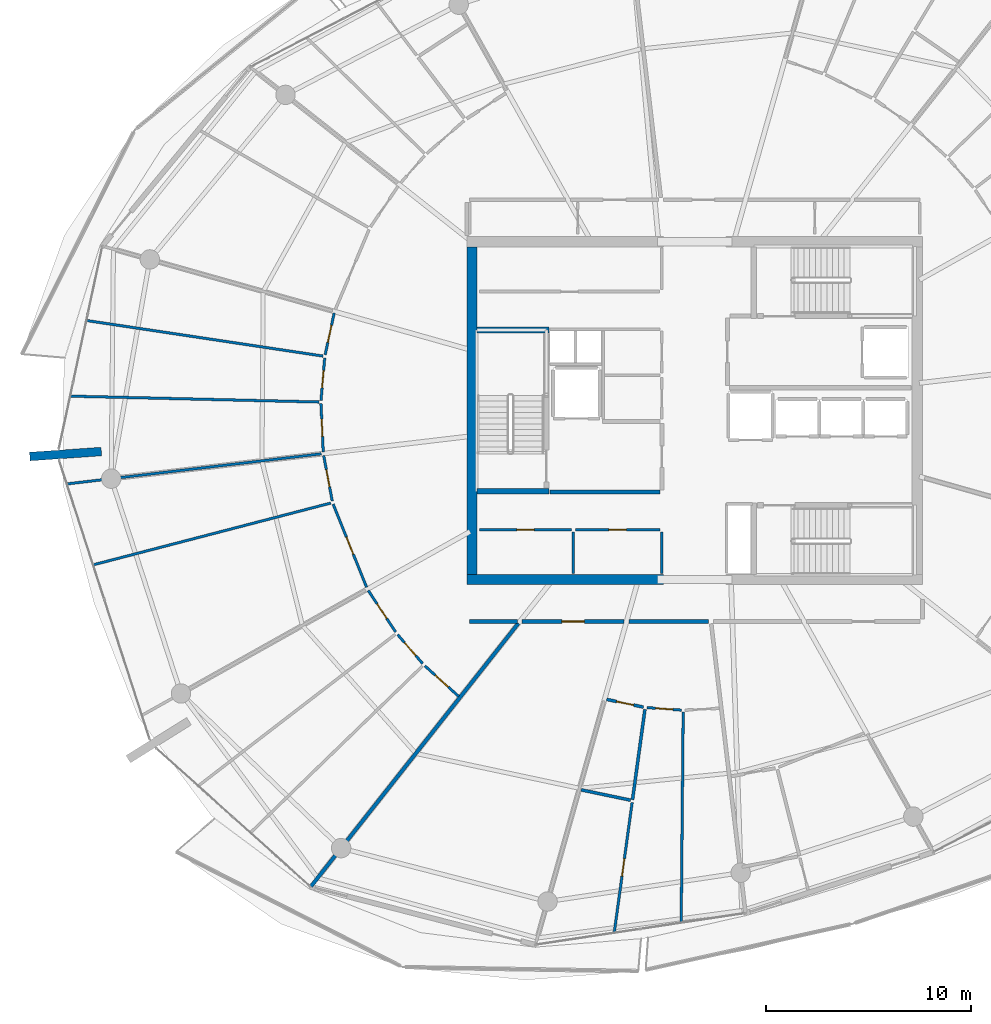
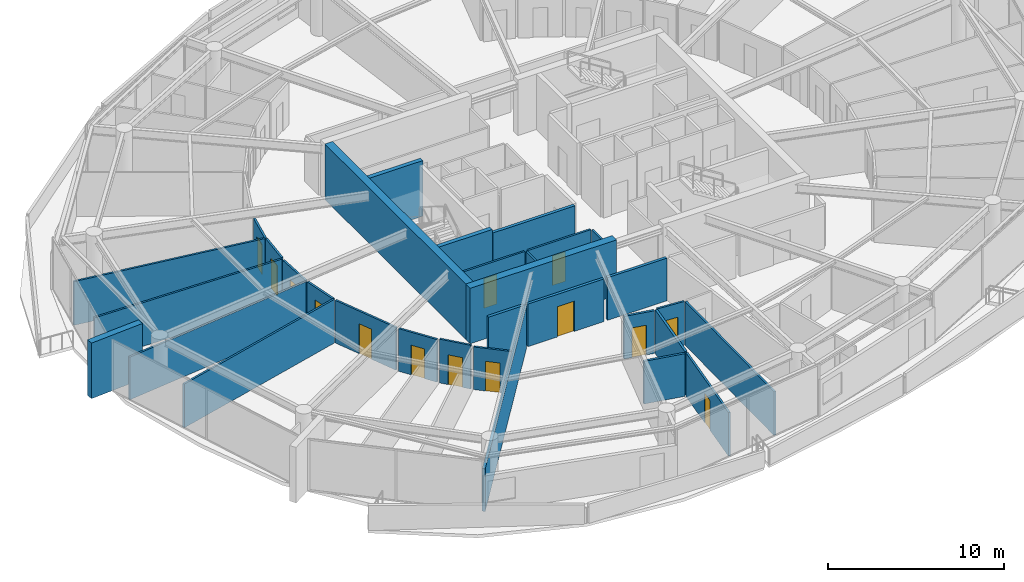
# One storey, part 17 of 29: 32 walls, 14 doors, 14 openings.
"""IFC4 building model written with IfcOpenShell, lengths in metres."""

import ifcopenshell
import ifcopenshell.guid

model = None  # the IFC model being written
_history = None  # IfcOwnerHistory: only IFC2X3 demands one
_inside = {}  # id of a spatial element -> (the spatial element, [elements in it])
_under = {}  # id of a project, library or spatial element -> (it, [spatial elements below it])
_declared = {}  # id of a project -> (the project, [libraries it declares])
_typed = {}  # id of a type object -> (the type object, [elements of that type])
_made_of = {}  # id of a material, layer set ... -> (it, [elements and type objects made of it])


def new_model(schema):
    """Start an empty IFC model of exactly this schema.

    Asked for "IFC4X3", IfcOpenShell would pick the latest addendum, in which some entities
    have other attributes; the version numbers below select the first issue.
    IFC2X3 requires an IfcOwnerHistory on every rooted entity: one is made here for all.
    """
    global model, _history
    if schema == "IFC4X3":
        model = ifcopenshell.file(schema_version=(4, 3, 0, 0))
    else:
        model = ifcopenshell.file(schema=schema)
    _inside.clear()
    _under.clear()
    _declared.clear()
    _typed.clear()
    _made_of.clear()
    _history = None
    if model.schema == "IFC2X3":
        org = make("IfcOrganization", Name="unknown")
        user = make(
            "IfcPersonAndOrganization",
            ThePerson=make("IfcPerson", FamilyName="unknown"),
            TheOrganization=org,
        )
        app = make(
            "IfcApplication",
            ApplicationDeveloper=org,
            Version="unknown",
            ApplicationFullName="unknown",
            ApplicationIdentifier="unknown",
        )
        _history = make(
            "IfcOwnerHistory",
            OwningUser=user,
            OwningApplication=app,
            ChangeAction="ADDED",
            CreationDate=0,
        )
    return model


def make(cls, **values):
    """One entity of the class cls with the attributes given. An attribute that is None is left unset."""
    return model.create_entity(
        cls, **{name: value for name, value in values.items() if value is not None}
    )


def rooted(cls, **values):
    """An entity with a GlobalId (a new one), such as an element, a storey or a relation."""
    return make(cls, GlobalId=ifcopenshell.guid.new(), OwnerHistory=_history, **values)


def si_unit(unit_type, name, prefix=None):
    """IfcSIUnit, for example si_unit("LENGTHUNIT", "METRE", prefix="MILLI")."""
    return make("IfcSIUnit", UnitType=unit_type, Prefix=prefix, Name=name)


def assignment(units):
    """IfcUnitAssignment: the units of a project."""
    return None if units is None else make("IfcUnitAssignment", Units=units)


def point(xyz):
    """IfcCartesianPoint."""
    return None if xyz is None else make("IfcCartesianPoint", Coordinates=xyz)


def direction(xyz):
    """IfcDirection."""
    return None if xyz is None else make("IfcDirection", DirectionRatios=xyz)


def frame(location, z_axis=None, x_axis=None):
    """IfcAxis2Placement3D, a coordinate frame: its origin and axes. An axis left out is left unset."""
    return make(
        "IfcAxis2Placement3D",
        Location=point(location),
        Axis=direction(z_axis),
        RefDirection=direction(x_axis),
    )


def frame_2d(location, x_axis=None):
    """IfcAxis2Placement2D, a coordinate frame in the plane: its origin and x axis."""
    return make(
        "IfcAxis2Placement2D", Location=point(location), RefDirection=direction(x_axis)
    )


def origin():
    """The frame at (0, 0, 0) with its axes left unset."""
    return frame((0.0, 0.0, 0.0))


def place(relative_to, where):
    """IfcLocalPlacement: puts the frame where relative to a parent placement (None: the world)."""
    return make(
        "IfcLocalPlacement", PlacementRelTo=relative_to, RelativePlacement=where
    )


def context(
    kind, dimensions, precision=None, world=None, true_north=None, identifier=None
):
    """IfcGeometricRepresentationContext, for example the 3D "Model" context."""
    return make(
        "IfcGeometricRepresentationContext",
        ContextIdentifier=identifier,
        ContextType=kind,
        CoordinateSpaceDimension=dimensions,
        Precision=precision,
        WorldCoordinateSystem=world,
        TrueNorth=true_north,
    )


def subcontext(parent, identifier, kind, view, scale=None):
    """IfcGeometricRepresentationSubContext, for example "Body" below "Model"."""
    return make(
        "IfcGeometricRepresentationSubContext",
        ContextIdentifier=identifier,
        ContextType=kind,
        ParentContext=parent,
        TargetScale=scale,
        TargetView=view,
    )


def project(units=None, contexts=None):
    """IfcProject with its units and contexts."""
    return rooted(
        "IfcProject",
        Name="project",
        RepresentationContexts=contexts,
        UnitsInContext=assignment(units),
    )


def spatial(cls, under=None, at=None, **own):
    """A site, building, storey or space (cls), placed at a placement, below another one or the project."""
    s = rooted(cls, ObjectPlacement=at, **own)
    if under is not None:
        _under.setdefault(under.id(), (under, []))[1].append(s)
    return s


def profile(cls, at=None, kind="AREA", **sizes):
    """A parametric profile (cls). Its sizes go by their IFC names, for example OverallWidth=200.0."""
    return make(cls, ProfileType=kind, Position=at, **sizes)


def rectangle(**sizes):
    """IfcRectangleProfileDef."""
    return profile("IfcRectangleProfileDef", **sizes)


def extrude(swept, where, along, depth):
    """IfcExtrudedAreaSolid: the profile swept, set in the frame where, extruded along a direction by depth."""
    return make(
        "IfcExtrudedAreaSolid",
        SweptArea=swept,
        Position=where,
        ExtrudedDirection=direction(along),
        Depth=depth,
    )


def shape(context_of_items, identifier, shape_type, items):
    """IfcShapeRepresentation: the items that make up one representation, for example the "Body"."""
    return make(
        "IfcShapeRepresentation",
        ContextOfItems=context_of_items,
        RepresentationIdentifier=identifier,
        RepresentationType=shape_type,
        Items=items,
    )


def material(Name=None, Category=None):
    """IfcMaterial."""
    return make("IfcMaterial", Name=Name, Category=Category)


def layer(
    of_material, thickness, ventilated=None, Name=None, Category=None, Priority=None
):
    """IfcMaterialLayer: one layer of a wall or slab, of a material (None: an air gap)."""
    return make(
        "IfcMaterialLayer",
        Material=of_material,
        LayerThickness=thickness,
        IsVentilated=ventilated,
        Name=Name,
        Category=Category,
        Priority=Priority,
    )


def layer_set(layers, Name=None):
    """IfcMaterialLayerSet."""
    return make("IfcMaterialLayerSet", MaterialLayers=layers, LayerSetName=Name)


def made_of(thing, what):
    """Note that an element or type object is made of a material, layer set ...; save() writes the relation."""
    if what is not None:
        _made_of.setdefault(what.id(), (what, []))[1].append(thing)
    return thing


def type_object(cls, material=None, **own):
    """A type object (cls), such as IfcWallType, which elements share."""
    return made_of(rooted(cls, **own), material)


def element(
    cls,
    number,
    at=None,
    inside=None,
    cuts=None,
    type_object=None,
    material=None,
    context=None,
    identifier="Body",
    shape_type=None,
    held_by="IfcProductDefinitionShape",
    body=None,
    shapes=None,
    **own,
):
    """One element of the class cls, such as IfcWall. Its Tag is "e" and its number.

    at: its placement. inside: the storey or other place that contains it. cuts: it is an
    opening in that element (IfcRelVoidsElement). A single representation is given by context,
    identifier, shape_type and body (its items); several are given by shapes. held_by: the class
    of the entity that holds the representations. save() writes the other relations.
    """
    e = rooted(cls, Tag="e%d" % number, ObjectPlacement=at, **own)
    if body is not None:
        shapes = [shape(context, identifier, shape_type, body)]
    if shapes is not None:
        e.Representation = make(held_by, Representations=shapes)
    if inside is not None:
        _inside.setdefault(inside.id(), (inside, []))[1].append(e)
    if cuts is not None:
        rooted(
            "IfcRelVoidsElement", RelatingBuildingElement=cuts, RelatedOpeningElement=e
        )
    if type_object is not None:
        _typed.setdefault(type_object.id(), (type_object, []))[1].append(e)
    return made_of(e, material)


def fill(opening, filler):
    """IfcRelFillsElement: the door or window that sits in an opening."""
    return rooted(
        "IfcRelFillsElement",
        RelatingOpeningElement=opening,
        RelatedBuildingElement=filler,
    )


def aggregate(whole, parts):
    """IfcRelAggregates: a whole, such as a stair, and the parts it consists of."""
    return rooted("IfcRelAggregates", RelatingObject=whole, RelatedObjects=parts)


def save(model, path):
    """Write the relations noted so far, then the file.

    IfcRelAggregates (storeys below a building ...), IfcRelContainedInSpatialStructure (elements
    in a storey), IfcRelDefinesByType, IfcRelAssociatesMaterial and IfcRelDeclares: one each for
    every whole, place, type object, material and project.
    """
    for whole, parts in _under.values():
        aggregate(whole, parts)
    for where, things in _inside.values():
        rooted(
            "IfcRelContainedInSpatialStructure",
            RelatedElements=things,
            RelatingStructure=where,
        )
    for kind, things in _typed.values():
        rooted("IfcRelDefinesByType", RelatedObjects=things, RelatingType=kind)
    for what, things in _made_of.values():
        rooted("IfcRelAssociatesMaterial", RelatedObjects=things, RelatingMaterial=what)
    for by, libraries in _declared.values():
        rooted("IfcRelDeclares", RelatingContext=by, RelatedDefinitions=libraries)
    model.write(path)


model = new_model("IFC4")

# Units and contexts
model_context = context("Model", 3, precision=1e-05, world=origin(), true_north=direction((0.0, 1.0)))
body_context = subcontext(model_context, "Body", "Model", "MODEL_VIEW")
ifc_project = project(units=[si_unit("LENGTHUNIT", "METRE"), si_unit("AREAUNIT", "SQUARE_METRE"), si_unit("VOLUMEUNIT", "CUBIC_METRE"), si_unit("PLANEANGLEUNIT", "RADIAN"), si_unit("MASSUNIT", "GRAM", prefix="KILO")], contexts=[model_context])

# Site, building, storey
site_placement = place(None, origin())
site = spatial("IfcSite", under=ifc_project, at=site_placement, CompositionType="ELEMENT")
building_placement = place(site_placement, origin())
building = spatial("IfcBuilding", under=site, at=building_placement, Name="Kazma Halo Residences", CompositionType="ELEMENT")
storey_placement = place(building_placement, frame((0.0, 0.0, 282.89990234375)))
storey = spatial("IfcBuildingStorey", under=building, at=storey_placement, Name="L71", CompositionType="ELEMENT", Elevation=282.89990234375)

# Walls
ifc_material_1 = material(Name="Pale Concrete C60/75", Category="concrete")
ifc_layer_1 = layer(ifc_material_1, 0.419921875)
ifc_layer_set_1 = layer_set([ifc_layer_1], Name="Pale Concrete C60/75")
wall_type_1 = type_object("IfcWallType", Name="WL-BLADE-420", PredefinedType="SOLIDWALL", material=ifc_layer_set_1)
wall_1_placement = place(storey_placement, frame((19.4375, 40.002685546875, 0.0), z_axis=(0.0, 0.0, 1.0), x_axis=(-0.997563824095, -0.069759707979, 0.0)))
element("IfcWall", 1, at=wall_1_placement, inside=storey, type_object=wall_type_1, Name="L71 pale concrete structural blade fin wall BW-02", PredefinedType="SOLIDWALL", context=body_context, shape_type="SweptSolid", body=[
    extrude(rectangle(XDim=3.499755859375, YDim=0.419921875, at=frame_2d((1.75, 0.0))), origin(), (0.0, 0.0, 1.0), 3.85009765625),
])
ifc_material_2 = material(Name="Concrete C60/75", Category="concrete")
ifc_layer_2 = layer(ifc_material_2, 0.5)
ifc_layer_set_2 = layer_set([ifc_layer_2], Name="Concrete C60/75")
wall_type_2 = type_object("IfcWallType", Name="WL-CORE-500", PredefinedType="SHEAR", material=ifc_layer_set_2)
wall_2_placement = place(storey_placement, frame((37.300048828125, 33.75, 0.0), z_axis=(0.0, 0.0, 1.0), x_axis=(1.0, 0.0, 0.0)))
element("IfcWall", 2, at=wall_2_placement, inside=storey, type_object=wall_type_2, Name="L71 central core shear wall SW", PredefinedType="SHEAR", context=body_context, shape_type="SweptSolid", body=[
    extrude(rectangle(XDim=9.599853515625, YDim=0.5, at=frame_2d((4.7998046875, 0.0))), origin(), (0.0, 0.0, 1.0), 3.85009765625),
])
wall_3_placement = place(storey_placement, frame((37.550048828125, 34.0, 0.0), z_axis=(0.0, 0.0, 1.0), x_axis=(0.0, 1.0, 0.0)))
element("IfcWall", 3, at=wall_3_placement, inside=storey, type_object=wall_type_2, Name="L71 central core shear wall W", PredefinedType="SHEAR", context=body_context, shape_type="SweptSolid", body=[
    extrude(rectangle(XDim=16.0, YDim=0.5, at=frame_2d((8.0, 0.0))), origin(), (0.0, 0.0, 1.0), 3.85009765625),
])
ifc_layer_3 = layer(ifc_material_2, 0.280029296875)
ifc_layer_set_3 = layer_set([ifc_layer_3], Name="Concrete C60/75")
wall_type_3 = type_object("IfcWallType", Name="WL-CORE-ST-280", PredefinedType="SHEAR", material=ifc_layer_set_3)
for number, where, z_axis, x_axis, name in (
    (4, (37.800048828125, 38.06005859375, 0.0), (0.0, 0.0, 1.0), (1.0, 0.0, 0.0), "L71 stairwell bearing wall ST01-S"),
    (5, (37.800048828125, 45.93994140625, 0.0), (0.0, 0.0, 1.0), (1.0, 0.0, 0.0), "L71 stairwell bearing wall ST01-N"),
):
    element("IfcWall", number, at=place(storey_placement, frame(where, z_axis=z_axis, x_axis=x_axis)), inside=storey, type_object=wall_type_3, Name=name, PredefinedType="SHEAR", context=body_context, shape_type="SweptSolid", body=[
        extrude(rectangle(XDim=3.5, YDim=0.280029296875, at=frame_2d((1.75, 0.0))), origin(), (0.0, 0.0, 1.0), 3.85009765625),
    ])
ifc_material_3 = material(Name="Acoustic Twin-Stud Gypsum")
ifc_layer_4 = layer(ifc_material_3, 0.179931640625)
ifc_layer_set_4 = layer_set([ifc_layer_4], Name="Acoustic Twin-Stud Gypsum")
wall_type_4 = type_object("IfcWallType", Name="WL-DEM-180", PredefinedType="PARTITIONING", material=ifc_layer_set_4)
wall_4_placement = place(storey_placement, frame((39.81201171875, 31.613525390625, 0.0), z_axis=(0.0, 0.0, 1.0), x_axis=(-0.619097230176, -0.785314344443, 0.0)))
element("IfcWall", 6, at=wall_4_placement, inside=storey, type_object=wall_type_4, Name="L71 apartment demising radial wall 09", PredefinedType="PARTITIONING", context=body_context, shape_type="SweptSolid", body=[
    extrude(rectangle(XDim=16.369873046875, YDim=0.179931640625, at=frame_2d((8.18505859375, 0.0))), origin(), (0.0, 0.0, 1.0), 2.95703125),
])
wall_5_placement = place(storey_placement, frame((37.419921875, 31.699951171875, 0.0), z_axis=(0.0, 0.0, 1.0), x_axis=(1.0, 0.0, 0.0)))
element("IfcWall", 7, at=wall_5_placement, inside=storey, type_object=wall_type_4, Name="L71 Apartment 1 inner wall 8", PredefinedType="PARTITIONING", context=body_context, shape_type="SweptSolid", body=[
    extrude(rectangle(XDim=2.340087890625, YDim=0.179931640625, at=frame_2d((1.169921875, 0.0))), origin(), (0.0, 0.0, 1.0), 2.95703125),
])

# Wall, opening, door
wall_6_placement = place(storey_placement, frame((40.0, 31.699951171875, 0.0), z_axis=(0.0, 0.0, 1.0), x_axis=(1.0, 0.0, 0.0)))
wall_6 = element("IfcWall", 8, at=wall_6_placement, inside=storey, type_object=wall_type_4, Name="L71 Apartment 2 entrance corridor wall", PredefinedType="PARTITIONING", context=body_context, shape_type="SweptSolid", body=[
    extrude(rectangle(XDim=4.97509765625, YDim=0.179931640625, at=frame_2d((2.487548828125, 0.0))), origin(), (0.0, 0.0, 1.0), 2.95703125),
])
opening_1_placement = place(wall_6_placement, frame((1.9375, 0.0, 0.0)))
opening_1 = element("IfcOpeningElement", 9, at=opening_1_placement, cuts=wall_6, Name="Opening DA-1100", PredefinedType="OPENING", context=body_context, shape_type="SweptSolid", body=[
    extrude(rectangle(XDim=1.10009765625, YDim=2.10009765625, at=frame_2d((0.550048828125, 1.050048828125))), frame((0.0, 0.099853515625, 0.0), z_axis=(0.0, -1.0, 0.0), x_axis=(1.0, 0.0, 0.0)), (0.0, 0.0, 1.0), 0.199951171875),
])
ifc_material_4 = material(Name="Acoustic Walnut Fire Leaf")
door_type_1 = type_object("IfcDoorType", Name="DR-FD60-1100", OperationType="NOTDEFINED", PredefinedType="DOOR", material=ifc_material_4)
door_1_placement = place(opening_1_placement, origin())
door_1 = element("IfcDoor", 10, at=door_1_placement, inside=storey, type_object=door_type_1, Name="L71 Apartment 2 entrance fire door", OperationType="SINGLE_SWING_RIGHT", OverallHeight=2.10009765625, OverallWidth=1.10009765625, PredefinedType="DOOR", context=body_context, shape_type="SweptSolid", body=[
    extrude(rectangle(XDim=1.10009765625, YDim=2.10009765625, at=frame_2d((0.550048828125, 1.050048828125))), frame((0.0, 0.02490234375, 0.0), z_axis=(0.0, -1.0, 0.0), x_axis=(1.0, 0.0, 0.0)), (0.0, 0.0, 1.0), 0.050048828125),
])
fill(opening_1, door_1)

# Walls
wall_7_placement = place(storey_placement, frame((45.215087890625, 31.699951171875, 0.0), z_axis=(0.0, 0.0, 1.0), x_axis=(1.0, 0.0, 0.0)))
element("IfcWall", 11, at=wall_7_placement, inside=storey, type_object=wall_type_4, Name="L71 Apartment 2 inner wall 10", PredefinedType="PARTITIONING", context=body_context, shape_type="SweptSolid", body=[
    extrude(rectangle(XDim=3.884033203125, YDim=0.179931640625, at=frame_2d((1.94189453125, 0.0))), origin(), (0.0, 0.0, 1.0), 2.95703125),
])
ifc_material_5 = material(Name="Fire-Rated Blockwork Masonry", Category="masonry")
ifc_layer_5 = layer(ifc_material_5, 0.199951171875)
ifc_layer_set_5 = layer_set([ifc_layer_5], Name="Fire-Rated Blockwork Masonry")
wall_type_5 = type_object("IfcWallType", Name="WL-FLB-200", PredefinedType="PARTITIONING", material=ifc_layer_set_5)
wall_8_placement = place(storey_placement, frame((41.35009765625, 38.02001953125, 0.0), z_axis=(0.0, 0.0, 1.0), x_axis=(1.0, 0.0, 0.0)))
element("IfcWall", 12, at=wall_8_placement, inside=storey, type_object=wall_type_5, Name="L71 west firefighting lobby south smoke wall", PredefinedType="PARTITIONING", context=body_context, shape_type="SweptSolid", body=[
    extrude(rectangle(XDim=5.369873046875, YDim=0.199951171875, at=frame_2d((2.68505859375, 0.0))), origin(), (0.0, 0.0, 1.0), 3.590087890625),
])
ifc_material_6 = material(Name="Gypsum Plasterboard Partition")
ifc_layer_6 = layer(ifc_material_6, 0.125)
ifc_layer_set_6 = layer_set([ifc_layer_6], Name="Gypsum Plasterboard Partition")
wall_type_6 = type_object("IfcWallType", Name="WL-PART-125", PredefinedType="PARTITIONING", material=ifc_layer_set_6)
for number, where, z_axis, x_axis, name in (
    (13, (46.820068359375, 34.050048828125, 0.0), (0.0, 0.0, 1.0), (0.0, 1.0, 0.0), "L71 reclaimed south east wall"),
    (14, (42.5, 34.050048828125, 0.0), (0.0, 0.0, 1.0), (0.0, 1.0, 0.0), "L71 reclaimed south divider wall"),
):
    element("IfcWall", number, at=place(storey_placement, frame(where, z_axis=z_axis, x_axis=x_axis)), inside=storey, type_object=wall_type_6, Name=name, PredefinedType="PARTITIONING", context=body_context, shape_type="SweptSolid", body=[
        extrude(rectangle(XDim=2.030029296875, YDim=0.125, at=frame_2d((1.01513671875, 0.0))), origin(), (0.0, 0.0, 1.0), 3.030029296875),
    ])

# Wall, opening, door
wall_9_placement = place(storey_placement, frame((37.919921875, 36.179931640625, 0.0), z_axis=(0.0, 0.0, 1.0), x_axis=(1.0, 0.0, 0.0)))
wall_9 = element("IfcWall", 15, at=wall_9_placement, inside=storey, type_object=wall_type_6, Name="L71 reclaimed south W front wall", PredefinedType="PARTITIONING", context=body_context, shape_type="SweptSolid", body=[
    extrude(rectangle(XDim=4.47998046875, YDim=0.125, at=frame_2d((2.239990234375, 0.0))), origin(), (0.0, 0.0, 1.0), 3.030029296875),
])
opening_2_placement = place(wall_9_placement, frame((1.81494140625, 0.0, 0.0)))
opening_2 = element("IfcOpeningElement", 16, at=opening_2_placement, cuts=wall_9, Name="Opening DS-850", PredefinedType="OPENING", context=body_context, shape_type="SweptSolid", body=[
    extrude(rectangle(XDim=0.85009765625, YDim=2.06005859375, at=frame_2d((0.425048828125, 1.030029296875))), frame((0.0, 0.072509765625, 0.0), z_axis=(0.0, -1.0, 0.0), x_axis=(1.0, 0.0, 0.0)), (0.0, 0.0, 1.0), 0.14501953125),
])
ifc_material_7 = material(Name="Painted Steel Access Leaf", Category="steel")
door_type_2 = type_object("IfcDoorType", Name="DR-SVC-850", OperationType="NOTDEFINED", PredefinedType="DOOR", material=ifc_material_7)
door_2_placement = place(opening_2_placement, origin())
door_2 = element("IfcDoor", 17, at=door_2_placement, inside=storey, type_object=door_type_2, Name="L71 reclaimed south W door", OperationType="SINGLE_SWING_RIGHT", OverallHeight=2.06005859375, OverallWidth=0.85009765625, PredefinedType="DOOR", context=body_context, shape_type="SweptSolid", body=[
    extrude(rectangle(XDim=0.85009765625, YDim=2.06005859375, at=frame_2d((0.425048828125, 1.030029296875))), frame((0.0, 0.02490234375, 0.0), z_axis=(0.0, -1.0, 0.0), x_axis=(1.0, 0.0, 0.0)), (0.0, 0.0, 1.0), 0.050048828125),
])
fill(opening_2, door_2)

wall_10_placement = place(storey_placement, frame((42.60009765625, 36.179931640625, 0.0), z_axis=(0.0, 0.0, 1.0), x_axis=(1.0, 0.0, 0.0)))
wall_10 = element("IfcWall", 18, at=wall_10_placement, inside=storey, type_object=wall_type_6, Name="L71 reclaimed south E front wall", PredefinedType="PARTITIONING", context=body_context, shape_type="SweptSolid", body=[
    extrude(rectangle(XDim=4.119873046875, YDim=0.125, at=frame_2d((2.06005859375, 0.0))), origin(), (0.0, 0.0, 1.0), 3.030029296875),
])
opening_3_placement = place(wall_10_placement, frame((1.635009765625, 0.0, 0.0)))
opening_3 = element("IfcOpeningElement", 19, at=opening_3_placement, cuts=wall_10, Name="Opening DS-850", PredefinedType="OPENING", context=body_context, shape_type="SweptSolid", body=[
    extrude(rectangle(XDim=0.85009765625, YDim=2.06005859375, at=frame_2d((0.425048828125, 1.030029296875))), frame((0.0, 0.072509765625, 0.0), z_axis=(0.0, -1.0, 0.0), x_axis=(1.0, 0.0, 0.0)), (0.0, 0.0, 1.0), 0.14501953125),
])
door_3_placement = place(opening_3_placement, origin())
door_3 = element("IfcDoor", 20, at=door_3_placement, inside=storey, type_object=door_type_2, Name="L71 reclaimed south E door", OperationType="SINGLE_SWING_LEFT", OverallHeight=2.06005859375, OverallWidth=0.85009765625, PredefinedType="DOOR", context=body_context, shape_type="SweptSolid", body=[
    extrude(rectangle(XDim=0.85009765625, YDim=2.06005859375, at=frame_2d((0.425048828125, 1.030029296875))), frame((0.0, 0.02490234375, 0.0), z_axis=(0.0, -1.0, 0.0), x_axis=(1.0, 0.0, 0.0)), (0.0, 0.0, 1.0), 0.050048828125),
])
fill(opening_3, door_3)

# Walls
wall_11_placement = place(storey_placement, frame((30.267333984375, 44.666015625, 0.0), z_axis=(0.0, 0.0, 1.0), x_axis=(-0.988886077573, 0.148675235266, 0.0)))
element("IfcWall", 21, at=wall_11_placement, inside=storey, type_object=wall_type_6, Name="L71 Apartment 1 bay wall 1 6", PredefinedType="PARTITIONING", context=body_context, shape_type="SweptSolid", body=[
    extrude(rectangle(XDim=11.66064453125, YDim=0.125, at=frame_2d((5.830322265625, 0.0))), origin(), (0.0, 0.0, 1.0), 3.030029296875),
])
wall_12_placement = place(storey_placement, frame((30.072998046875, 42.422607421875, 0.0), z_axis=(0.0, 0.0, 1.0), x_axis=(-0.999722774678, 0.023545143653, 0.0)))
element("IfcWall", 22, at=wall_12_placement, inside=storey, type_object=wall_type_6, Name="L71 Apartment 1 bay wall 2 6", PredefinedType="PARTITIONING", context=body_context, shape_type="SweptSolid", body=[
    extrude(rectangle(XDim=12.1318359375, YDim=0.125, at=frame_2d((6.06591796875, 0.0))), origin(), (0.0, 0.0, 1.0), 3.030029296875),
])

# Wall, opening, door
wall_13_placement = place(storey_placement, frame((30.81103515625, 46.764892578125, 0.0), z_axis=(0.0, 0.0, 1.0), x_axis=(-0.210490523381, -0.977595897888, 0.0)))
wall_13 = element("IfcWall", 23, at=wall_13_placement, inside=storey, type_object=wall_type_6, Name="L71 Apartment 1 East Bedroom hall wall", PredefinedType="PARTITIONING", context=body_context, shape_type="SweptSolid", body=[
    extrude(rectangle(XDim=2.080810546875, YDim=0.125, at=frame_2d((1.04052734375, 0.0))), origin(), (0.0, 0.0, 1.0), 2.95703125),
])
opening_4_placement = place(wall_13_placement, frame((0.615234375, 0.0, 0.0)))
opening_4 = element("IfcOpeningElement", 24, at=opening_4_placement, cuts=wall_13, Name="Opening DB-900", PredefinedType="OPENING", context=body_context, shape_type="SweptSolid", body=[
    extrude(rectangle(XDim=0.85009765625, YDim=2.06005859375, at=frame_2d((0.425048828125, 1.030029296875))), frame((0.0, 0.072509765625, 0.0), z_axis=(0.0, -1.0, 0.0), x_axis=(1.0, 0.0, 0.0)), (0.0, 0.0, 1.0), 0.14501953125),
])
ifc_material_8 = material(Name="Moisture-Sealed Timber Leaf", Category="wood")
door_type_3 = type_object("IfcDoorType", Name="DR-BTH-900", OperationType="NOTDEFINED", PredefinedType="DOOR", material=ifc_material_8)
door_4_placement = place(opening_4_placement, origin())
door_4 = element("IfcDoor", 25, at=door_4_placement, inside=storey, type_object=door_type_3, Name="L71 Apartment 1 East Bedroom door", OperationType="SINGLE_SWING_LEFT", OverallHeight=2.06005859375, OverallWidth=0.85009765625, PredefinedType="DOOR", context=body_context, shape_type="SweptSolid", body=[
    extrude(rectangle(XDim=0.85009765625, YDim=2.06005859375, at=frame_2d((0.425048828125, 1.030029296875))), frame((0.0, 0.02490234375, 0.0), z_axis=(0.0, -1.0, 0.0), x_axis=(1.0, 0.0, 0.0)), (0.0, 0.0, 1.0), 0.050048828125),
])
fill(opening_4, door_4)

wall_14_placement = place(storey_placement, frame((30.349365234375, 44.572998046875, 0.0), z_axis=(0.0, 0.0, 1.0), x_axis=(-0.08623974721, -0.996274413001, 0.0)))
wall_14 = element("IfcWall", 26, at=wall_14_placement, inside=storey, type_object=wall_type_6, Name="L71 Apartment 1 West Dressing Wardrobe hall wall", PredefinedType="PARTITIONING", context=body_context, shape_type="SweptSolid", body=[
    extrude(rectangle(XDim=2.080810546875, YDim=0.125, at=frame_2d((1.04052734375, 0.0))), origin(), (0.0, 0.0, 1.0), 3.030029296875),
])
opening_5_placement = place(wall_14_placement, frame((0.615234375, 0.0, 0.0)))
opening_5 = element("IfcOpeningElement", 27, at=opening_5_placement, cuts=wall_14, Name="Opening DB-900", PredefinedType="OPENING", context=body_context, shape_type="SweptSolid", body=[
    extrude(rectangle(XDim=0.85009765625, YDim=2.06005859375, at=frame_2d((0.425048828125, 1.030029296875))), frame((0.0, 0.072509765625, 0.0), z_axis=(0.0, -1.0, 0.0), x_axis=(1.0, 0.0, 0.0)), (0.0, 0.0, 1.0), 0.14501953125),
])
door_5_placement = place(opening_5_placement, origin())
door_5 = element("IfcDoor", 28, at=door_5_placement, inside=storey, type_object=door_type_3, Name="L71 Apartment 1 West Dressing Wardrobe door", OperationType="SINGLE_SWING_RIGHT", OverallHeight=2.06005859375, OverallWidth=0.85009765625, PredefinedType="DOOR", context=body_context, shape_type="SweptSolid", body=[
    extrude(rectangle(XDim=0.85009765625, YDim=2.06005859375, at=frame_2d((0.425048828125, 1.030029296875))), frame((0.0, 0.02490234375, 0.0), z_axis=(0.0, -1.0, 0.0), x_axis=(1.0, 0.0, 0.0)), (0.0, 0.0, 1.0), 0.050048828125),
])
fill(opening_5, door_5)

wall_15_placement = place(storey_placement, frame((30.166748046875, 42.340576171875, 0.0), z_axis=(0.0, 0.0, 1.0), x_axis=(0.047063871423, -0.998891882041, 0.0)))
wall_15 = element("IfcWall", 29, at=wall_15_placement, inside=storey, type_object=wall_type_6, Name="L71 Apartment 1 North Master Bedroom hall wall", PredefinedType="PARTITIONING", context=body_context, shape_type="SweptSolid", body=[
    extrude(rectangle(XDim=2.3603515625, YDim=0.125, at=frame_2d((1.18017578125, 0.0))), origin(), (0.0, 0.0, 1.0), 2.95703125),
])
opening_6_placement = place(wall_15_placement, frame((0.755126953125, 0.0, 0.0)))
opening_6 = element("IfcOpeningElement", 30, at=opening_6_placement, cuts=wall_15, Name="Opening DB-900", PredefinedType="OPENING", context=body_context, shape_type="SweptSolid", body=[
    extrude(rectangle(XDim=0.85009765625, YDim=2.06005859375, at=frame_2d((0.425048828125, 1.030029296875))), frame((0.0, 0.072509765625, 0.0), z_axis=(0.0, -1.0, 0.0), x_axis=(1.0, 0.0, 0.0)), (0.0, 0.0, 1.0), 0.14501953125),
])
door_6_placement = place(opening_6_placement, origin())
door_6 = element("IfcDoor", 31, at=door_6_placement, inside=storey, type_object=door_type_3, Name="L71 Apartment 1 North Master Bedroom door", OperationType="SINGLE_SWING_LEFT", OverallHeight=2.06005859375, OverallWidth=0.85009765625, PredefinedType="DOOR", context=body_context, shape_type="SweptSolid", body=[
    extrude(rectangle(XDim=0.85009765625, YDim=2.06005859375, at=frame_2d((0.425048828125, 1.030029296875))), frame((0.0, 0.02490234375, 0.0), z_axis=(0.0, -1.0, 0.0), x_axis=(1.0, 0.0, 0.0)), (0.0, 0.0, 1.0), 0.050048828125),
])
fill(opening_6, door_6)

# Walls
wall_16_placement = place(storey_placement, frame((30.182373046875, 39.89111328125, 0.0), z_axis=(0.0, 0.0, 1.0), x_axis=(-0.993068421431, -0.117537697601, 0.0)))
element("IfcWall", 32, at=wall_16_placement, inside=storey, type_object=wall_type_6, Name="L71 Apartment 1 radial partition 7", PredefinedType="PARTITIONING", context=body_context, shape_type="SweptSolid", body=[
    extrude(rectangle(XDim=12.48779296875, YDim=0.125, at=frame_2d((6.243896484375, 0.0))), origin(), (0.0, 0.0, 1.0), 2.95703125),
])
wall_17_placement = place(storey_placement, frame((30.6455078125, 37.48583984375, 0.0), z_axis=(0.0, 0.0, 1.0), x_axis=(-0.967801832841, -0.251713353539, 0.0)))
element("IfcWall", 33, at=wall_17_placement, inside=storey, type_object=wall_type_6, Name="L71 Apartment 1 mid-bay wall 7", PredefinedType="PARTITIONING", context=body_context, shape_type="SweptSolid", body=[
    extrude(rectangle(XDim=11.9658203125, YDim=0.125, at=frame_2d((5.98291015625, 0.0))), origin(), (0.0, 0.0, 1.0), 3.030029296875),
])

# Wall, opening, door
wall_18_placement = place(storey_placement, frame((30.30029296875, 39.8046875, 0.0), z_axis=(0.0, 0.0, 1.0), x_axis=(0.185013596113, -0.982735961107, 0.0)))
wall_18 = element("IfcWall", 34, at=wall_18_placement, inside=storey, type_object=wall_type_6, Name="L71 Apartment 1 South Wine Pantry Store hall wall", PredefinedType="PARTITIONING", context=body_context, shape_type="SweptSolid", body=[
    extrude(rectangle(XDim=2.256591796875, YDim=0.125, at=frame_2d((1.12841796875, 0.0))), origin(), (0.0, 0.0, 1.0), 2.95703125),
])
opening_7_placement = place(wall_18_placement, frame((0.703125, 0.0, 0.0)))
opening_7 = element("IfcOpeningElement", 35, at=opening_7_placement, cuts=wall_18, Name="Opening DB-900", PredefinedType="OPENING", context=body_context, shape_type="SweptSolid", body=[
    extrude(rectangle(XDim=0.85009765625, YDim=2.06005859375, at=frame_2d((0.425048828125, 1.030029296875))), frame((0.0, 0.072509765625, 0.0), z_axis=(0.0, -1.0, 0.0), x_axis=(1.0, 0.0, 0.0)), (0.0, 0.0, 1.0), 0.14501953125),
])
door_7_placement = place(opening_7_placement, origin())
door_7 = element("IfcDoor", 36, at=door_7_placement, inside=storey, type_object=door_type_3, Name="L71 Apartment 1 South Wine Pantry Store door", OperationType="SINGLE_SWING_LEFT", OverallHeight=2.06005859375, OverallWidth=0.85009765625, PredefinedType="DOOR", context=body_context, shape_type="SweptSolid", body=[
    extrude(rectangle(XDim=0.85009765625, YDim=2.06005859375, at=frame_2d((0.425048828125, 1.030029296875))), frame((0.0, 0.02490234375, 0.0), z_axis=(0.0, -1.0, 0.0), x_axis=(1.0, 0.0, 0.0)), (0.0, 0.0, 1.0), 0.050048828125),
])
fill(opening_7, door_7)

wall_19_placement = place(storey_placement, frame((30.762451171875, 37.434326171875, 0.0), z_axis=(0.0, 0.0, 1.0), x_axis=(0.373208088993, -0.927747660903, 0.0)))
wall_19 = element("IfcWall", 37, at=wall_19_placement, inside=storey, type_object=wall_type_6, Name="L71 Apartment 1 Inner Formal Dining Room hall wall", PredefinedType="PARTITIONING", context=body_context, shape_type="SweptSolid", body=[
    extrude(rectangle(XDim=4.375732421875, YDim=0.125, at=frame_2d((2.18798828125, 0.0))), origin(), (0.0, 0.0, 1.0), 2.95703125),
])
opening_8_placement = place(wall_19_placement, frame((1.73779296875, 0.0, 0.0)))
opening_8 = element("IfcOpeningElement", 38, at=opening_8_placement, cuts=wall_19, Name="Opening DI-950", PredefinedType="OPENING", context=body_context, shape_type="SweptSolid", body=[
    extrude(rectangle(XDim=0.89990234375, YDim=2.080078125, at=frame_2d((0.449951171875, 1.0400390625))), frame((0.0, 0.072509765625, 0.0), z_axis=(0.0, -1.0, 0.0), x_axis=(1.0, 0.0, 0.0)), (0.0, 0.0, 1.0), 0.14501953125),
])
ifc_material_9 = material(Name="Timber Veneer Flush Leaf", Category="wood")
door_type_4 = type_object("IfcDoorType", Name="DR-INT-950", OperationType="NOTDEFINED", PredefinedType="DOOR", material=ifc_material_9)
door_8_placement = place(opening_8_placement, origin())
door_8 = element("IfcDoor", 39, at=door_8_placement, inside=storey, type_object=door_type_4, Name="L71 Apartment 1 Inner Formal Dining Room door", OperationType="SINGLE_SWING_RIGHT", OverallHeight=2.080078125, OverallWidth=0.89990234375, PredefinedType="DOOR", context=body_context, shape_type="SweptSolid", body=[
    extrude(rectangle(XDim=0.89990234375, YDim=2.080078125, at=frame_2d((0.449951171875, 1.0400390625))), frame((0.0, 0.02490234375, 0.0), z_axis=(0.0, -1.0, 0.0), x_axis=(1.0, 0.0, 0.0)), (0.0, 0.0, 1.0), 0.050048828125),
])
fill(opening_8, door_8)

wall_20_placement = place(storey_placement, frame((32.47705078125, 33.215087890625, 0.0), z_axis=(0.0, 0.0, 1.0), x_axis=(0.550682631302, -0.834714705502, 0.0)))
wall_20 = element("IfcWall", 40, at=wall_20_placement, inside=storey, type_object=wall_type_6, Name="L71 Apartment 1 Outer Master Bedroom hall wall", PredefinedType="PARTITIONING", context=body_context, shape_type="SweptSolid", body=[
    extrude(rectangle(XDim=2.429931640625, YDim=0.125, at=frame_2d((1.21484375, 0.0))), origin(), (0.0, 0.0, 1.0), 2.95703125),
])
opening_9_placement = place(wall_20_placement, frame((0.7900390625, 0.0, 0.0)))
opening_9 = element("IfcOpeningElement", 41, at=opening_9_placement, cuts=wall_20, Name="Opening DB-900", PredefinedType="OPENING", context=body_context, shape_type="SweptSolid", body=[
    extrude(rectangle(XDim=0.85009765625, YDim=2.06005859375, at=frame_2d((0.425048828125, 1.030029296875))), frame((0.0, 0.072509765625, 0.0), z_axis=(0.0, -1.0, 0.0), x_axis=(1.0, 0.0, 0.0)), (0.0, 0.0, 1.0), 0.14501953125),
])
door_9_placement = place(opening_9_placement, origin())
door_9 = element("IfcDoor", 42, at=door_9_placement, inside=storey, type_object=door_type_3, Name="L71 Apartment 1 Outer Master Bedroom door", OperationType="SINGLE_SWING_LEFT", OverallHeight=2.06005859375, OverallWidth=0.85009765625, PredefinedType="DOOR", context=body_context, shape_type="SweptSolid", body=[
    extrude(rectangle(XDim=0.85009765625, YDim=2.06005859375, at=frame_2d((0.425048828125, 1.030029296875))), frame((0.0, 0.02490234375, 0.0), z_axis=(0.0, -1.0, 0.0), x_axis=(1.0, 0.0, 0.0)), (0.0, 0.0, 1.0), 0.050048828125),
])
fill(opening_9, door_9)

wall_21_placement = place(storey_placement, frame((33.91162109375, 31.0595703125, 0.0), z_axis=(0.0, 0.0, 1.0), x_axis=(0.65389162061, -0.756588229155, 0.0)))
wall_21 = element("IfcWall", 43, at=wall_21_placement, inside=storey, type_object=wall_type_6, Name="L71 Apartment 1 Corner Dressing Wardrobe hall wall", PredefinedType="PARTITIONING", context=body_context, shape_type="SweptSolid", body=[
    extrude(rectangle(XDim=1.870849609375, YDim=0.125, at=frame_2d((0.935546875, 0.0))), origin(), (0.0, 0.0, 1.0), 3.030029296875),
])
opening_10_placement = place(wall_21_placement, frame((0.510498046875, 0.0, 0.0)))
opening_10 = element("IfcOpeningElement", 44, at=opening_10_placement, cuts=wall_21, Name="Opening DB-900", PredefinedType="OPENING", context=body_context, shape_type="SweptSolid", body=[
    extrude(rectangle(XDim=0.85009765625, YDim=2.06005859375, at=frame_2d((0.425048828125, 1.030029296875))), frame((0.0, 0.072509765625, 0.0), z_axis=(0.0, -1.0, 0.0), x_axis=(1.0, 0.0, 0.0)), (0.0, 0.0, 1.0), 0.14501953125),
])
door_10_placement = place(opening_10_placement, origin())
door_10 = element("IfcDoor", 45, at=door_10_placement, inside=storey, type_object=door_type_3, Name="L71 Apartment 1 Corner Dressing Wardrobe door", OperationType="SINGLE_SWING_RIGHT", OverallHeight=2.06005859375, OverallWidth=0.85009765625, PredefinedType="DOOR", context=body_context, shape_type="SweptSolid", body=[
    extrude(rectangle(XDim=0.85009765625, YDim=2.06005859375, at=frame_2d((0.425048828125, 1.030029296875))), frame((0.0, 0.02490234375, 0.0), z_axis=(0.0, -1.0, 0.0), x_axis=(1.0, 0.0, 0.0)), (0.0, 0.0, 1.0), 0.050048828125),
])
fill(opening_10, door_10)

wall_22_placement = place(storey_placement, frame((35.24658203125, 29.52978515625, 0.0), z_axis=(0.0, 0.0, 1.0), x_axis=(0.742303741258, -0.670063546027, 0.0)))
wall_22 = element("IfcWall", 46, at=wall_22_placement, inside=storey, type_object=wall_type_6, Name="L71 Apartment 1 Garden Bedroom hall wall", PredefinedType="PARTITIONING", context=body_context, shape_type="SweptSolid", body=[
    extrude(rectangle(XDim=2.220458984375, YDim=0.125, at=frame_2d((1.1103515625, 0.0))), origin(), (0.0, 0.0, 1.0), 2.95703125),
])
opening_11_placement = place(wall_22_placement, frame((0.685302734375, 0.0, 0.0)))
opening_11 = element("IfcOpeningElement", 47, at=opening_11_placement, cuts=wall_22, Name="Opening DB-900", PredefinedType="OPENING", context=body_context, shape_type="SweptSolid", body=[
    extrude(rectangle(XDim=0.85009765625, YDim=2.06005859375, at=frame_2d((0.425048828125, 1.030029296875))), frame((0.0, 0.072509765625, 0.0), z_axis=(0.0, -1.0, 0.0), x_axis=(1.0, 0.0, 0.0)), (0.0, 0.0, 1.0), 0.14501953125),
])
door_11_placement = place(opening_11_placement, origin())
door_11 = element("IfcDoor", 48, at=door_11_placement, inside=storey, type_object=door_type_3, Name="L71 Apartment 1 Garden Bedroom door", OperationType="SINGLE_SWING_LEFT", OverallHeight=2.06005859375, OverallWidth=0.85009765625, PredefinedType="DOOR", context=body_context, shape_type="SweptSolid", body=[
    extrude(rectangle(XDim=0.85009765625, YDim=2.06005859375, at=frame_2d((0.425048828125, 1.030029296875))), frame((0.0, 0.02490234375, 0.0), z_axis=(0.0, -1.0, 0.0), x_axis=(1.0, 0.0, 0.0)), (0.0, 0.0, 1.0), 0.050048828125),
])
fill(opening_11, door_11)

wall_23_placement = place(storey_placement, frame((45.368408203125, 22.864013671875, 0.0), z_axis=(0.0, 0.0, 1.0), x_axis=(-0.136200589596, -0.99068128043, 0.0)))
wall_23 = element("IfcWall", 49, at=wall_23_placement, inside=storey, type_object=wall_type_6, Name="L71 Apartment 2 Household Store Room partition wall", PredefinedType="PARTITIONING", context=body_context, shape_type="SweptSolid", body=[
    extrude(rectangle(XDim=6.411865234375, YDim=0.125, at=frame_2d((3.2060546875, 0.0))), origin(), (0.0, 0.0, 1.0), 3.030029296875),
])
opening_12_placement = place(wall_23_placement, frame((2.781005859375, 0.0, 0.0)))
opening_12 = element("IfcOpeningElement", 50, at=opening_12_placement, cuts=wall_23, Name="Opening DB-900", PredefinedType="OPENING", context=body_context, shape_type="SweptSolid", body=[
    extrude(rectangle(XDim=0.85009765625, YDim=2.06005859375, at=frame_2d((0.425048828125, 1.030029296875))), frame((0.0, 0.072509765625, 0.0), z_axis=(0.0, -1.0, 0.0), x_axis=(1.0, 0.0, 0.0)), (0.0, 0.0, 1.0), 0.14501953125),
])
door_12_placement = place(opening_12_placement, origin())
door_12 = element("IfcDoor", 51, at=door_12_placement, inside=storey, type_object=door_type_3, Name="L71 Apartment 2 Household Store Room door", OperationType="SINGLE_SWING_LEFT", OverallHeight=2.06005859375, OverallWidth=0.85009765625, PredefinedType="DOOR", context=body_context, shape_type="SweptSolid", body=[
    extrude(rectangle(XDim=0.85009765625, YDim=2.06005859375, at=frame_2d((0.425048828125, 1.030029296875))), frame((0.0, 0.02490234375, 0.0), z_axis=(0.0, -1.0, 0.0), x_axis=(1.0, 0.0, 0.0)), (0.0, 0.0, 1.0), 0.050048828125),
])
fill(opening_12, door_12)

# Wall
wall_24_placement = place(storey_placement, frame((47.861328125, 27.274658203125, 0.0), z_axis=(0.0, 0.0, 1.0), x_axis=(-0.009436905939, -0.999955471412, 0.0)))
element("IfcWall", 52, at=wall_24_placement, inside=storey, type_object=wall_type_6, Name="L71 Apartment 2 suite divider 10", PredefinedType="PARTITIONING", context=body_context, shape_type="SweptSolid", body=[
    extrude(rectangle(XDim=10.270751953125, YDim=0.125, at=frame_2d((5.13525390625, 0.0))), origin(), (0.0, 0.0, 1.0), 3.030029296875),
])

# Wall, opening, door
wall_25_placement = place(storey_placement, frame((46.095947265625, 27.493896484375, 0.0), z_axis=(0.0, 0.0, 1.0), x_axis=(0.997337823183, -0.072919588925, 0.0)))
wall_25 = element("IfcWall", 53, at=wall_25_placement, inside=storey, type_object=wall_type_6, Name="L71 Apartment 2 Gourmet Kitchen hall wall", PredefinedType="PARTITIONING", context=body_context, shape_type="SweptSolid", body=[
    extrude(rectangle(XDim=1.690673828125, YDim=0.125, at=frame_2d((0.84521484375, 0.0))), origin(), (0.0, 0.0, 1.0), 3.030029296875),
])
opening_13_placement = place(wall_25_placement, frame((0.42041015625, 0.0, 0.0)))
opening_13 = element("IfcOpeningElement", 54, at=opening_13_placement, cuts=wall_25, Name="Opening DB-900", PredefinedType="OPENING", context=body_context, shape_type="SweptSolid", body=[
    extrude(rectangle(XDim=0.85009765625, YDim=2.06005859375, at=frame_2d((0.425048828125, 1.030029296875))), frame((0.0, 0.072509765625, 0.0), z_axis=(0.0, -1.0, 0.0), x_axis=(1.0, 0.0, 0.0)), (0.0, 0.0, 1.0), 0.14501953125),
])
door_13_placement = place(opening_13_placement, origin())
door_13 = element("IfcDoor", 55, at=door_13_placement, inside=storey, type_object=door_type_3, Name="L71 Apartment 2 Gourmet Kitchen door", OperationType="SINGLE_SWING_RIGHT", OverallHeight=2.06005859375, OverallWidth=0.85009765625, PredefinedType="DOOR", context=body_context, shape_type="SweptSolid", body=[
    extrude(rectangle(XDim=0.85009765625, YDim=2.06005859375, at=frame_2d((0.425048828125, 1.030029296875))), frame((0.0, 0.02490234375, 0.0), z_axis=(0.0, -1.0, 0.0), x_axis=(1.0, 0.0, 0.0)), (0.0, 0.0, 1.0), 0.050048828125),
])
fill(opening_13, door_13)

ifc_material_10 = material(Name="Moisture-Resistant Gypsum")
ifc_layer_7 = layer(ifc_material_10, 0.14990234375)
ifc_layer_set_7 = layer_set([ifc_layer_7], Name="Moisture-Resistant Gypsum")
wall_type_7 = type_object("IfcWallType", Name="WL-WET-150", PredefinedType="PARTITIONING", material=ifc_layer_set_7)
wall_26_placement = place(storey_placement, frame((44.125, 27.89306640625, 0.0), z_axis=(0.0, 0.0, 1.0), x_axis=(0.978900502262, -0.204337482294, 0.0)))
wall_26 = element("IfcWall", 56, at=wall_26_placement, inside=storey, type_object=wall_type_7, Name="L71 Apartment 2 Guest Bathroom hall wall", PredefinedType="PARTITIONING", context=body_context, shape_type="SweptSolid", body=[
    extrude(rectangle(XDim=1.83154296875, YDim=0.14990234375, at=frame_2d((0.915771484375, 0.0))), origin(), (0.0, 0.0, 1.0), 2.95703125),
])
opening_14_placement = place(wall_26_placement, frame((0.49072265625, 0.0, 0.0)))
opening_14 = element("IfcOpeningElement", 57, at=opening_14_placement, cuts=wall_26, Name="Opening DB-900", PredefinedType="OPENING", context=body_context, shape_type="SweptSolid", body=[
    extrude(rectangle(XDim=0.85009765625, YDim=2.06005859375, at=frame_2d((0.425048828125, 1.030029296875))), frame((0.0, 0.0849609375, 0.0), z_axis=(0.0, -1.0, 0.0), x_axis=(1.0, 0.0, 0.0)), (0.0, 0.0, 1.0), 0.169921875),
])
door_14_placement = place(opening_14_placement, origin())
door_14 = element("IfcDoor", 58, at=door_14_placement, inside=storey, type_object=door_type_3, Name="L71 Apartment 2 Guest Bathroom door", OperationType="SINGLE_SWING_RIGHT", OverallHeight=2.06005859375, OverallWidth=0.85009765625, PredefinedType="DOOR", context=body_context, shape_type="SweptSolid", body=[
    extrude(rectangle(XDim=0.85009765625, YDim=2.06005859375, at=frame_2d((0.425048828125, 1.030029296875))), frame((0.0, 0.02490234375, 0.0), z_axis=(0.0, -1.0, 0.0), x_axis=(1.0, 0.0, 0.0)), (0.0, 0.0, 1.0), 0.050048828125),
])
fill(opening_14, door_14)

# Walls
wall_27_placement = place(storey_placement, frame((42.879150390625, 23.475341796875, 0.0), z_axis=(0.0, 0.0, 1.0), x_axis=(0.978912814884, -0.204278488479, 0.0)))
element("IfcWall", 59, at=wall_27_placement, inside=storey, type_object=wall_type_7, Name="L71 Apartment 2 Guest Bathroom back wall", PredefinedType="PARTITIONING", context=body_context, shape_type="SweptSolid", body=[
    extrude(rectangle(XDim=2.465576171875, YDim=0.14990234375, at=frame_2d((1.23291015625, 0.0))), origin(), (0.0, 0.0, 1.0), 2.95703125),
])
wall_28_placement = place(storey_placement, frame((45.993896484375, 27.411376953125, 0.0), z_axis=(0.0, 0.0, 1.0), x_axis=(-0.136246545396, -0.99067496126, 0.0)))
element("IfcWall", 60, at=wall_28_placement, inside=storey, type_object=wall_type_7, Name="L71 Apartment 2 Guest Bathroom side wall", PredefinedType="PARTITIONING", context=body_context, shape_type="SweptSolid", body=[
    extrude(rectangle(XDim=4.4599609375, YDim=0.14990234375, at=frame_2d((2.22998046875, 0.0))), origin(), (0.0, 0.0, 1.0), 3.030029296875),
])

save(model, "model.ifc")
